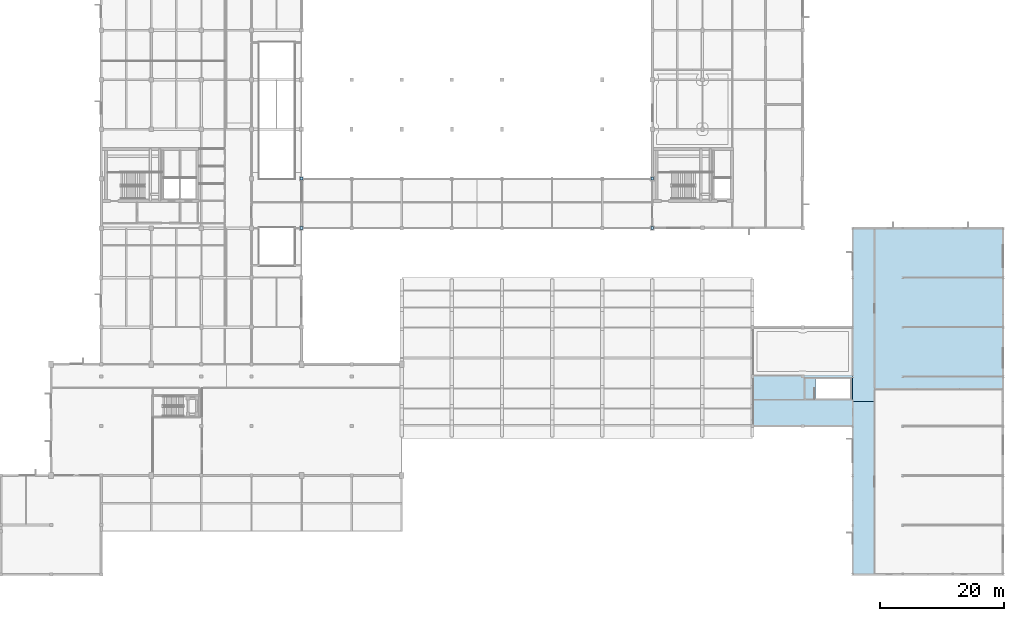
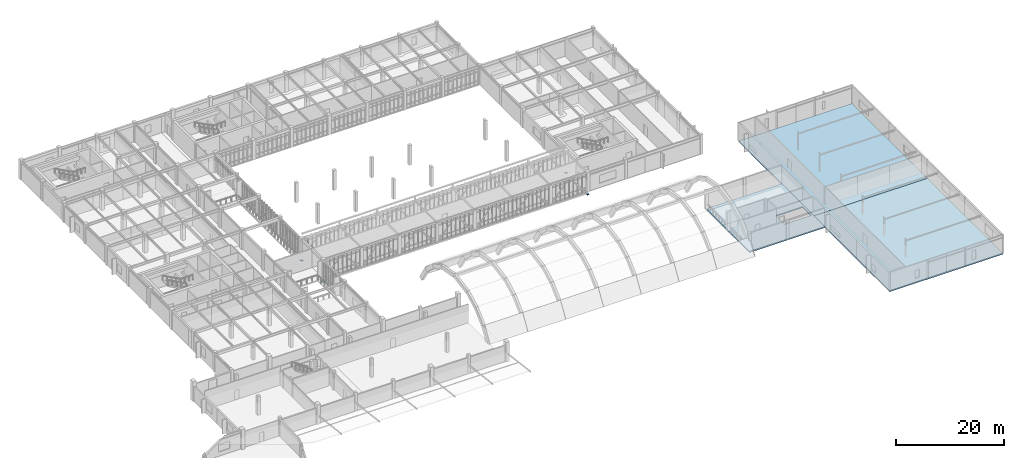
# One storey, part 46 of 67: 4 plates, 3 slabs.
"""IFC4 building model written with IfcOpenShell, lengths in metres."""

from ifc_helpers import new_model, si_unit, direction, frame, origin, origin_2d, place, context, subcontext, project, spatial, polyline, rectangle, outline, extrude, material, layer, layer_set, type_object, element, save


model = new_model("IFC4")

# Units and contexts
model_context = context("Model", 3, precision=1e-05, world=origin(), true_north=direction((0.0, 1.0)))
body_context = subcontext(model_context, "Body", "Model", "MODEL_VIEW")
ifc_project = project(units=[si_unit("LENGTHUNIT", "METRE"), si_unit("AREAUNIT", "SQUARE_METRE"), si_unit("VOLUMEUNIT", "CUBIC_METRE"), si_unit("PLANEANGLEUNIT", "RADIAN"), si_unit("MASSUNIT", "GRAM", prefix="KILO")], contexts=[model_context])

# Site, building, storey
site_placement = place(None, origin())
site = spatial("IfcSite", under=ifc_project, at=site_placement, CompositionType="ELEMENT")
building_placement = place(site_placement, origin())
building = spatial("IfcBuilding", under=site, at=building_placement, Name="Tarnveldt Square Police Headquarters", CompositionType="ELEMENT")
storey_placement = place(building_placement, frame((0.0, 0.0, 10.199951171875)))
storey = spatial("IfcBuildingStorey", under=building, at=storey_placement, Name="L02", CompositionType="ELEMENT", Elevation=10.199951171875)

# Plates
ifc_material_1 = material(Name="Steel 350W", Category="steel")
ifc_layer_1 = layer(ifc_material_1, 0.052001953125)
ifc_layer_set_1 = layer_set([ifc_layer_1], Name="Steel 350W")
plate_type = type_object("IfcPlateType", Name="PLT-BASE-52", PredefinedType="USERDEFINED", material=ifc_layer_set_1)
for number, where, z_axis, x_axis, name in (
    (1, (48.60009765625, 56.0, -0.7490234375), (0.0, 0.0, 1.0), (1.0, 0.0, 0.0), "Skybridge SBS Sliding Bearing Seat Plate W"),
    (2, (48.60009765625, 64.0, -0.7490234375), (0.0, 0.0, 1.0), (1.0, 0.0, 0.0), "Skybridge SBS Sliding Bearing Seat Plate W"),
    (3, (105.300048828125, 56.0, -0.7490234375), (0.0, 0.0, 1.0), (1.0, 0.0, 0.0), "Skybridge SBS Sliding Bearing Seat Plate E"),
    (4, (105.300048828125, 64.0, -0.7490234375), (0.0, 0.0, 1.0), (1.0, 0.0, 0.0), "Skybridge SBS Sliding Bearing Seat Plate E"),
):
    element("IfcPlate", number, at=place(storey_placement, frame(where, z_axis=z_axis, x_axis=x_axis)), inside=storey, type_object=plate_type, Name=name, ObjectType="BASE PLATE", PredefinedType="USERDEFINED", context=body_context, shape_type="SweptSolid", body=[
        extrude(rectangle(XDim=0.449951171875, YDim=0.449951171875, at=origin_2d()), origin(), (0.0, 0.0, 1.0), 0.052001953125),
    ])

# Slabs
ifc_material_2 = material(Name="Concrete 40 MPa", Category="concrete")
ifc_layer_2 = layer(ifc_material_2, 0.280029296875)
ifc_layer_set_2 = layer_set([ifc_layer_2], Name="Concrete 40 MPa")
slab_type = type_object("IfcSlabType", Name="SL-POD-280", PredefinedType="FLOOR", material=ifc_layer_set_2)
slab_1_placement = place(storey_placement, frame((0.0, 0.0, -0.280029296875)))
element("IfcSlab", 5, at=slab_1_placement, inside=storey, type_object=slab_type, Name="L02 Structural Floor Slab L02-V3-LINK-1", PredefinedType="FLOOR", context=body_context, shape_type="SweptSolid", body=[
    extrude(outline(polyline([(137.699951171875, 40.0), (137.699951171875, 24.0), (121.5, 24.0), (121.5, 40.0), (137.699951171875, 40.0)]), holes=[polyline([(131.659912109375, 28.3798828125), (137.300048828125, 28.3798828125), (137.300048828125, 31.6201171875), (131.659912109375, 31.6201171875), (131.659912109375, 28.3798828125)])]), origin(), (0.0, 0.0, 1.0), 0.280029296875),
])
slab_2_placement = place(storey_placement, frame((0.0, 0.0, -0.280029296875)))
element("IfcSlab", 6, at=slab_2_placement, inside=storey, type_object=slab_type, Name="L02 Structural Floor Slab L02-V3-1", PredefinedType="FLOOR", context=body_context, shape_type="SweptSolid", body=[
    extrude(outline(polyline([(162.0, 0.0), (137.699951171875, 0.0), (137.699951171875, 24.0), (137.699951171875, 28.0), (162.0, 28.0), (162.0, 0.0)])), origin(), (0.0, 0.0, 1.0), 0.280029296875),
])
slab_3_placement = place(storey_placement, frame((0.0, 0.0, -0.280029296875)))
element("IfcSlab", 7, at=slab_3_placement, inside=storey, type_object=slab_type, Name="L02 Structural Floor Slab L02-V3-2", PredefinedType="FLOOR", context=body_context, shape_type="SweptSolid", body=[
    extrude(outline(polyline([(162.0, 28.0), (137.699951171875, 28.0), (137.699951171875, 40.0), (137.699951171875, 56.0), (162.0, 56.0), (162.0, 28.0)])), origin(), (0.0, 0.0, 1.0), 0.280029296875),
])

save(model, "model.ifc")
